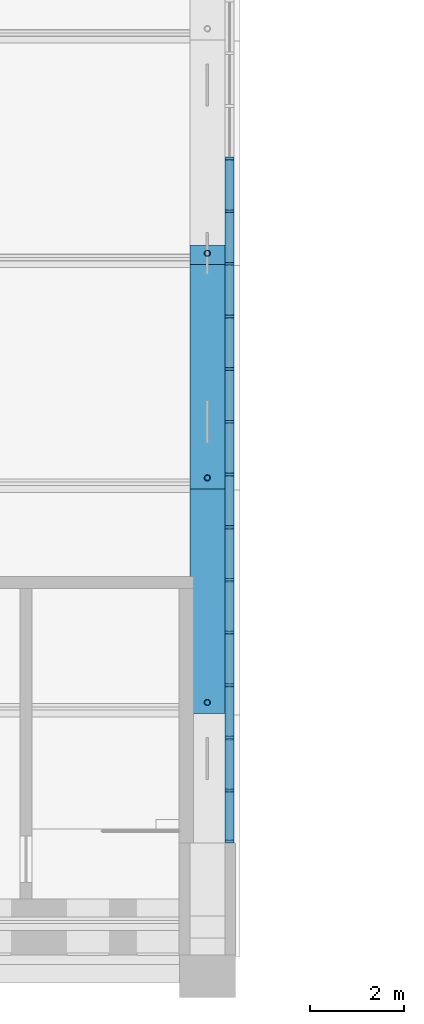
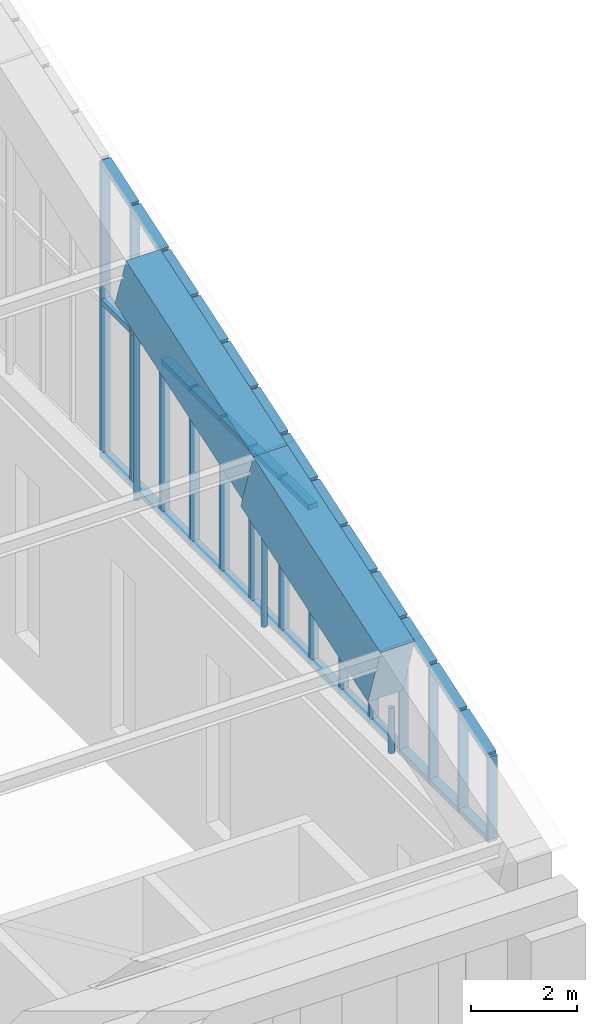
# One storey, part 91 of 149: 50 members, 2 beams, 1 element without a shape of its own.
"""IFC4 building model written with IfcOpenShell, lengths in metres."""

from ifc_helpers import new_model, si_unit, direction, frame, origin, origin_2d, place, context, subcontext, project, spatial, rectangle, hollow_circle, extrude, material, material_profile, profile_set, type_object, element, aggregate, save


model = new_model("IFC4")

# Units and contexts
model_context = context("Model", 3, precision=1e-05, world=origin(), true_north=direction((0.0, 1.0)))
body_context = subcontext(model_context, "Body", "Model", "MODEL_VIEW")
ifc_project = project(units=[si_unit("LENGTHUNIT", "METRE"), si_unit("AREAUNIT", "SQUARE_METRE"), si_unit("VOLUMEUNIT", "CUBIC_METRE"), si_unit("PLANEANGLEUNIT", "RADIAN"), si_unit("MASSUNIT", "GRAM", prefix="KILO")], contexts=[model_context])

# Site, building, storey
site_placement = place(None, origin())
site = spatial("IfcSite", under=ifc_project, at=site_placement, CompositionType="ELEMENT")
building_placement = place(site_placement, origin())
building = spatial("IfcBuilding", under=site, at=building_placement, Name="Alderwick Market Hall", CompositionType="ELEMENT")
storey_placement = place(building_placement, frame((0.0, 0.0, 9.60009765625)))
storey = spatial("IfcBuildingStorey", under=building, at=storey_placement, Name="L01", CompositionType="ELEMENT", Elevation=9.60009765625)

# Beams
ifc_material_1 = material(Name="Concrete 5000 psi (f'c 35 MPa)", Category="concrete")
ifc_material_profile_1 = material_profile(ifc_material_1, rectangle(XDim=0.75, YDim=1.300048828125, at=origin_2d()), Name="RC 750x1300")
ifc_profile_set_1 = profile_set([ifc_material_profile_1], Name="Concrete 5000 psi (f'c 35 MPa)")
beam_type_1 = type_object("IfcBeamType", Name="R Arch Rib Haunch 750x1300", PredefinedType="BEAM", material=ifc_profile_set_1)
beam_1_placement = place(storey_placement, frame((151.199951171875, 59.96826171875, 9.894775390625), z_axis=(0.0, 0.948678472761, 0.316242241517), x_axis=(-1.0, 0.0, 0.0)))
element("IfcBeam", 1, at=beam_1_placement, inside=storey, type_object=beam_type_1, Name="Arch rib 8 chord 3", PredefinedType="BEAM", context=body_context, shape_type="SweptSolid", body=[
    extrude(rectangle(XDim=0.75, YDim=1.300048828125, at=origin_2d()), origin(), (0.0, 0.0, 1.0), 5.059814453125),
])
ifc_material_profile_2 = material_profile(ifc_material_1, rectangle(XDim=0.75, YDim=1.5, at=origin_2d()), Name="RC 750x1500")
ifc_profile_set_2 = profile_set([ifc_material_profile_2], Name="Concrete 5000 psi (f'c 35 MPa)")
beam_type_2 = type_object("IfcBeamType", Name="R Arch Rib Springing 750x1500", PredefinedType="BEAM", material=ifc_profile_set_2)
beam_2_placement = place(storey_placement, frame((151.199951171875, 55.199951171875, 8.199951171875), z_axis=(0.0, 0.948692948114, 0.316198814353), x_axis=(-1.0, 0.0, 0.0)))
element("IfcBeam", 2, at=beam_2_placement, inside=storey, type_object=beam_type_2, Name="Arch rib 8 chord 2", PredefinedType="BEAM", context=body_context, shape_type="SweptSolid", body=[
    extrude(rectangle(XDim=0.75, YDim=1.5, at=origin_2d()), origin(), (0.0, 0.0, 1.0), 5.0595703125),
])

# Curtain wall, members
ifc_material_2 = material(Name="Aluminium", Category="aluminium")
curtain_wall_type = type_object("IfcCurtainWallType", Name="R Curtain Wall Frame", PredefinedType="NOTDEFINED", material=ifc_material_2)
curtain_wall_placement = place(storey_placement, origin())
curtain_wall = element("IfcCurtainWall", 3, at=curtain_wall_placement, inside=storey, type_object=curtain_wall_type, Name="Curtain wall GCW3", PredefinedType="NOTDEFINED")
ifc_material_profile_3 = material_profile(ifc_material_2, rectangle(XDim=0.199951171875, YDim=0.06005859375, at=origin_2d()), Name="AL 60x200")
ifc_profile_set_3 = profile_set([ifc_material_profile_3], Name="Aluminium")
member_type_1 = type_object("IfcMemberType", Name="R CW Mullion 60x200", PredefinedType="MULLION", material=ifc_profile_set_3)
member_1_placement = place(storey_placement, frame((151.675048828125, 52.22998046875, 5.94677734375), z_axis=(0.0, 0.0, 1.0), x_axis=(1.0, 0.0, 0.0)))
member_1 = element("IfcMember", 4, at=member_1_placement, type_object=member_type_1, Name="GCW3 mullion 1", PredefinedType="MULLION", context=body_context, shape_type="SweptSolid", body=[
    extrude(rectangle(XDim=0.199951171875, YDim=0.06005859375, at=origin_2d()), origin(), (0.0, 0.0, 1.0), 1.96044921875),
])
member_2_placement = place(storey_placement, frame((151.675048828125, 53.324951171875, 5.94677734375), z_axis=(0.0, 0.0, 1.0), x_axis=(1.0, 0.0, 0.0)))
member_2 = element("IfcMember", 5, at=member_2_placement, type_object=member_type_1, Name="GCW3 mullion 2", PredefinedType="MULLION", context=body_context, shape_type="SweptSolid", body=[
    extrude(rectangle(XDim=0.199951171875, YDim=0.06005859375, at=origin_2d()), origin(), (0.0, 0.0, 1.0), 2.325439453125),
])
member_3_placement = place(storey_placement, frame((151.675048828125, 54.449951171875, 5.94677734375), z_axis=(0.0, 0.0, 1.0), x_axis=(1.0, 0.0, 0.0)))
member_3 = element("IfcMember", 6, at=member_3_placement, type_object=member_type_1, Name="GCW3 mullion 3", PredefinedType="MULLION", context=body_context, shape_type="SweptSolid", body=[
    extrude(rectangle(XDim=0.199951171875, YDim=0.06005859375, at=origin_2d()), origin(), (0.0, 0.0, 1.0), 2.700439453125),
])
member_4_placement = place(storey_placement, frame((151.675048828125, 55.574951171875, 5.94677734375), z_axis=(0.0, 0.0, 1.0), x_axis=(1.0, 0.0, 0.0)))
member_4 = element("IfcMember", 7, at=member_4_placement, type_object=member_type_1, Name="GCW3 mullion 4", PredefinedType="MULLION", context=body_context, shape_type="SweptSolid", body=[
    extrude(rectangle(XDim=0.199951171875, YDim=0.06005859375, at=origin_2d()), origin(), (0.0, 0.0, 1.0), 3.075439453125),
])
member_5_placement = place(storey_placement, frame((151.675048828125, 56.699951171875, 5.94677734375), z_axis=(0.0, 0.0, 1.0), x_axis=(1.0, 0.0, 0.0)))
member_5 = element("IfcMember", 8, at=member_5_placement, type_object=member_type_1, Name="GCW3 mullion 5", PredefinedType="MULLION", context=body_context, shape_type="SweptSolid", body=[
    extrude(rectangle(XDim=0.199951171875, YDim=0.06005859375, at=origin_2d()), origin(), (0.0, 0.0, 1.0), 3.450439453125),
])
member_6_placement = place(storey_placement, frame((151.675048828125, 57.824951171875, 5.94677734375), z_axis=(0.0, 0.0, 1.0), x_axis=(1.0, 0.0, 0.0)))
member_6 = element("IfcMember", 9, at=member_6_placement, type_object=member_type_1, Name="GCW3 mullion 6", PredefinedType="MULLION", context=body_context, shape_type="SweptSolid", body=[
    extrude(rectangle(XDim=0.199951171875, YDim=0.06005859375, at=origin_2d()), origin(), (0.0, 0.0, 1.0), 3.825439453125),
])
member_7_placement = place(storey_placement, frame((151.675048828125, 58.949951171875, 5.94677734375), z_axis=(0.0, 0.0, 1.0), x_axis=(1.0, 0.0, 0.0)))
member_7 = element("IfcMember", 10, at=member_7_placement, type_object=member_type_1, Name="GCW3 mullion 7", PredefinedType="MULLION", context=body_context, shape_type="SweptSolid", body=[
    extrude(rectangle(XDim=0.199951171875, YDim=0.06005859375, at=origin_2d()), origin(), (0.0, 0.0, 1.0), 4.200439453125),
])
member_8_placement = place(storey_placement, frame((151.675048828125, 60.074951171875, 5.94677734375), z_axis=(0.0, 0.0, 1.0), x_axis=(1.0, 0.0, 0.0)))
member_8 = element("IfcMember", 11, at=member_8_placement, type_object=member_type_1, Name="GCW3 mullion 8", PredefinedType="MULLION", context=body_context, shape_type="SweptSolid", body=[
    extrude(rectangle(XDim=0.199951171875, YDim=0.06005859375, at=origin_2d()), origin(), (0.0, 0.0, 1.0), 4.575439453125),
])
member_9_placement = place(storey_placement, frame((151.675048828125, 61.199951171875, 5.94677734375), z_axis=(0.0, 0.0, 1.0), x_axis=(1.0, 0.0, 0.0)))
member_9 = element("IfcMember", 12, at=member_9_placement, type_object=member_type_1, Name="GCW3 mullion 9", PredefinedType="MULLION", context=body_context, shape_type="SweptSolid", body=[
    extrude(rectangle(XDim=0.199951171875, YDim=0.06005859375, at=origin_2d()), origin(), (0.0, 0.0, 1.0), 4.950439453125),
])
member_10_placement = place(storey_placement, frame((151.675048828125, 62.324951171875, 5.94677734375), z_axis=(0.0, 0.0, 1.0), x_axis=(1.0, 0.0, 0.0)))
member_10 = element("IfcMember", 13, at=member_10_placement, type_object=member_type_1, Name="GCW3 mullion 10", PredefinedType="MULLION", context=body_context, shape_type="SweptSolid", body=[
    extrude(rectangle(XDim=0.199951171875, YDim=0.06005859375, at=origin_2d()), origin(), (0.0, 0.0, 1.0), 5.325439453125),
])
member_11_placement = place(storey_placement, frame((151.675048828125, 63.449951171875, 5.94677734375), z_axis=(0.0, 0.0, 1.0), x_axis=(1.0, 0.0, 0.0)))
member_11 = element("IfcMember", 14, at=member_11_placement, type_object=member_type_1, Name="GCW3 mullion 11", PredefinedType="MULLION", context=body_context, shape_type="SweptSolid", body=[
    extrude(rectangle(XDim=0.199951171875, YDim=0.06005859375, at=origin_2d()), origin(), (0.0, 0.0, 1.0), 5.700439453125),
])
member_12_placement = place(storey_placement, frame((151.675048828125, 64.574951171875, 5.94677734375), z_axis=(0.0, 0.0, 1.0), x_axis=(1.0, 0.0, 0.0)))
member_12 = element("IfcMember", 15, at=member_12_placement, type_object=member_type_1, Name="GCW3 mullion 12", PredefinedType="MULLION", context=body_context, shape_type="SweptSolid", body=[
    extrude(rectangle(XDim=0.199951171875, YDim=0.06005859375, at=origin_2d()), origin(), (0.0, 0.0, 1.0), 6.075439453125),
])
member_13_placement = place(storey_placement, frame((151.675048828125, 65.699951171875, 5.94677734375), z_axis=(0.0, 0.0, 1.0), x_axis=(1.0, 0.0, 0.0)))
member_13 = element("IfcMember", 16, at=member_13_placement, type_object=member_type_1, Name="GCW3 mullion 13", PredefinedType="MULLION", context=body_context, shape_type="SweptSolid", body=[
    extrude(rectangle(XDim=0.199951171875, YDim=0.06005859375, at=origin_2d()), origin(), (0.0, 0.0, 1.0), 6.450439453125),
])
member_14_placement = place(storey_placement, frame((151.675048828125, 66.824951171875, 5.94677734375), z_axis=(0.0, 0.0, 1.0), x_axis=(1.0, 0.0, 0.0)))
member_14 = element("IfcMember", 17, at=member_14_placement, type_object=member_type_1, Name="GCW3 mullion 14", PredefinedType="MULLION", context=body_context, shape_type="SweptSolid", body=[
    extrude(rectangle(XDim=0.199951171875, YDim=0.06005859375, at=origin_2d()), origin(), (0.0, 0.0, 1.0), 6.825439453125),
])
ifc_material_profile_4 = material_profile(ifc_material_2, rectangle(XDim=0.199951171875, YDim=0.1201171875, at=origin_2d()), Name="AL 120x200")
ifc_profile_set_4 = profile_set([ifc_material_profile_4], Name="Aluminium")
member_type_2 = type_object("IfcMemberType", Name="R CW Transom 120x200", PredefinedType="USERDEFINED", material=ifc_profile_set_4)
member_15_placement = place(storey_placement, frame((151.675048828125, 52.260009765625, 6.006591796875), z_axis=(0.0, 1.0, 0.0), x_axis=(-1.0, 0.0, 0.0)))
member_15 = element("IfcMember", 18, at=member_15_placement, type_object=member_type_2, Name="GCW3 sill transom 1", ObjectType="TRANSOM", PredefinedType="USERDEFINED", context=body_context, shape_type="SweptSolid", body=[
    extrude(rectangle(XDim=0.199951171875, YDim=0.1201171875, at=origin_2d()), origin(), (0.0, 0.0, 1.0), 1.034912109375),
])
member_16_placement = place(storey_placement, frame((151.675048828125, 52.260009765625, 7.917236328125), z_axis=(0.0, 0.948683298051, 0.316227766017), x_axis=(-1.0, 0.0, 0.0)))
member_16 = element("IfcMember", 19, at=member_16_placement, type_object=member_type_2, Name="GCW3 arch cap 1", ObjectType="TRANSOM", PredefinedType="USERDEFINED", context=body_context, shape_type="SweptSolid", body=[
    extrude(rectangle(XDim=0.199951171875, YDim=0.1201171875, at=origin_2d()), origin(), (0.0, 0.0, 1.0), 1.0908203125),
])
member_17_placement = place(storey_placement, frame((151.675048828125, 53.35498046875, 6.006591796875), z_axis=(0.0, 1.0, 0.0), x_axis=(-1.0, 0.0, 0.0)))
member_17 = element("IfcMember", 20, at=member_17_placement, type_object=member_type_2, Name="GCW3 sill transom 2", ObjectType="TRANSOM", PredefinedType="USERDEFINED", context=body_context, shape_type="SweptSolid", body=[
    extrude(rectangle(XDim=0.199951171875, YDim=0.1201171875, at=origin_2d()), origin(), (0.0, 0.0, 1.0), 1.06494140625),
])
member_18_placement = place(storey_placement, frame((151.675048828125, 53.35498046875, 8.2822265625), z_axis=(0.0, 0.948683298051, 0.316227766017), x_axis=(-1.0, 0.0, 0.0)))
member_18 = element("IfcMember", 21, at=member_18_placement, type_object=member_type_2, Name="GCW3 arch cap 2", ObjectType="TRANSOM", PredefinedType="USERDEFINED", context=body_context, shape_type="SweptSolid", body=[
    extrude(rectangle(XDim=0.199951171875, YDim=0.1201171875, at=origin_2d()), origin(), (0.0, 0.0, 1.0), 1.12255859375),
])
member_19_placement = place(storey_placement, frame((151.675048828125, 54.47998046875, 6.006591796875), z_axis=(0.0, 1.0, 0.0), x_axis=(-1.0, 0.0, 0.0)))
member_19 = element("IfcMember", 22, at=member_19_placement, type_object=member_type_2, Name="GCW3 sill transom 3", ObjectType="TRANSOM", PredefinedType="USERDEFINED", context=body_context, shape_type="SweptSolid", body=[
    extrude(rectangle(XDim=0.199951171875, YDim=0.1201171875, at=origin_2d()), origin(), (0.0, 0.0, 1.0), 1.06494140625),
])
member_20_placement = place(storey_placement, frame((151.675048828125, 54.47998046875, 8.6572265625), z_axis=(0.0, 0.948683298051, 0.316227766017), x_axis=(-1.0, 0.0, 0.0)))
member_20 = element("IfcMember", 23, at=member_20_placement, type_object=member_type_2, Name="GCW3 arch cap 3", ObjectType="TRANSOM", PredefinedType="USERDEFINED", context=body_context, shape_type="SweptSolid", body=[
    extrude(rectangle(XDim=0.199951171875, YDim=0.1201171875, at=origin_2d()), origin(), (0.0, 0.0, 1.0), 1.12255859375),
])
member_21_placement = place(storey_placement, frame((151.675048828125, 55.60498046875, 6.006591796875), z_axis=(0.0, 1.0, 0.0), x_axis=(-1.0, 0.0, 0.0)))
member_21 = element("IfcMember", 24, at=member_21_placement, type_object=member_type_2, Name="GCW3 sill transom 4", ObjectType="TRANSOM", PredefinedType="USERDEFINED", context=body_context, shape_type="SweptSolid", body=[
    extrude(rectangle(XDim=0.199951171875, YDim=0.1201171875, at=origin_2d()), origin(), (0.0, 0.0, 1.0), 1.06494140625),
])
member_22_placement = place(storey_placement, frame((151.675048828125, 55.60498046875, 9.0322265625), z_axis=(0.0, 0.948683298051, 0.316227766017), x_axis=(-1.0, 0.0, 0.0)))
member_22 = element("IfcMember", 25, at=member_22_placement, type_object=member_type_2, Name="GCW3 arch cap 4", ObjectType="TRANSOM", PredefinedType="USERDEFINED", context=body_context, shape_type="SweptSolid", body=[
    extrude(rectangle(XDim=0.199951171875, YDim=0.1201171875, at=origin_2d()), origin(), (0.0, 0.0, 1.0), 1.12255859375),
])
member_23_placement = place(storey_placement, frame((151.675048828125, 56.72998046875, 6.006591796875), z_axis=(0.0, 1.0, 0.0), x_axis=(-1.0, 0.0, 0.0)))
member_23 = element("IfcMember", 26, at=member_23_placement, type_object=member_type_2, Name="GCW3 sill transom 5", ObjectType="TRANSOM", PredefinedType="USERDEFINED", context=body_context, shape_type="SweptSolid", body=[
    extrude(rectangle(XDim=0.199951171875, YDim=0.1201171875, at=origin_2d()), origin(), (0.0, 0.0, 1.0), 1.06494140625),
])
member_24_placement = place(storey_placement, frame((151.675048828125, 56.72998046875, 9.4072265625), z_axis=(0.0, 0.948683298051, 0.316227766017), x_axis=(-1.0, 0.0, 0.0)))
member_24 = element("IfcMember", 27, at=member_24_placement, type_object=member_type_2, Name="GCW3 arch cap 5", ObjectType="TRANSOM", PredefinedType="USERDEFINED", context=body_context, shape_type="SweptSolid", body=[
    extrude(rectangle(XDim=0.199951171875, YDim=0.1201171875, at=origin_2d()), origin(), (0.0, 0.0, 1.0), 1.12255859375),
])
member_25_placement = place(storey_placement, frame((151.675048828125, 57.85498046875, 6.006591796875), z_axis=(0.0, 1.0, 0.0), x_axis=(-1.0, 0.0, 0.0)))
member_25 = element("IfcMember", 28, at=member_25_placement, type_object=member_type_2, Name="GCW3 sill transom 6", ObjectType="TRANSOM", PredefinedType="USERDEFINED", context=body_context, shape_type="SweptSolid", body=[
    extrude(rectangle(XDim=0.199951171875, YDim=0.1201171875, at=origin_2d()), origin(), (0.0, 0.0, 1.0), 1.06494140625),
])
member_26_placement = place(storey_placement, frame((151.675048828125, 57.85498046875, 9.7822265625), z_axis=(0.0, 0.948683298051, 0.316227766017), x_axis=(-1.0, 0.0, 0.0)))
member_26 = element("IfcMember", 29, at=member_26_placement, type_object=member_type_2, Name="GCW3 arch cap 6", ObjectType="TRANSOM", PredefinedType="USERDEFINED", context=body_context, shape_type="SweptSolid", body=[
    extrude(rectangle(XDim=0.199951171875, YDim=0.1201171875, at=origin_2d()), origin(), (0.0, 0.0, 1.0), 1.12255859375),
])
member_27_placement = place(storey_placement, frame((151.675048828125, 58.97998046875, 6.006591796875), z_axis=(0.0, 1.0, 0.0), x_axis=(-1.0, 0.0, 0.0)))
member_27 = element("IfcMember", 30, at=member_27_placement, type_object=member_type_2, Name="GCW3 sill transom 7", ObjectType="TRANSOM", PredefinedType="USERDEFINED", context=body_context, shape_type="SweptSolid", body=[
    extrude(rectangle(XDim=0.199951171875, YDim=0.1201171875, at=origin_2d()), origin(), (0.0, 0.0, 1.0), 1.06494140625),
])
member_28_placement = place(storey_placement, frame((151.675048828125, 58.97998046875, 9.546630859375), z_axis=(0.0, 1.0, 0.0), x_axis=(-1.0, 0.0, 0.0)))
member_28 = element("IfcMember", 31, at=member_28_placement, type_object=member_type_2, Name="GCW3 transom 7.1", ObjectType="TRANSOM", PredefinedType="USERDEFINED", context=body_context, shape_type="SweptSolid", body=[
    extrude(rectangle(XDim=0.199951171875, YDim=0.1201171875, at=origin_2d()), origin(), (0.0, 0.0, 1.0), 1.06494140625),
])
member_29_placement = place(storey_placement, frame((151.675048828125, 58.97998046875, 10.1572265625), z_axis=(0.0, 0.948683298051, 0.316227766017), x_axis=(-1.0, 0.0, 0.0)))
member_29 = element("IfcMember", 32, at=member_29_placement, type_object=member_type_2, Name="GCW3 arch cap 7", ObjectType="TRANSOM", PredefinedType="USERDEFINED", context=body_context, shape_type="SweptSolid", body=[
    extrude(rectangle(XDim=0.199951171875, YDim=0.1201171875, at=origin_2d()), origin(), (0.0, 0.0, 1.0), 1.12255859375),
])
member_30_placement = place(storey_placement, frame((151.675048828125, 60.10498046875, 6.006591796875), z_axis=(0.0, 1.0, 0.0), x_axis=(-1.0, 0.0, 0.0)))
member_30 = element("IfcMember", 33, at=member_30_placement, type_object=member_type_2, Name="GCW3 sill transom 8", ObjectType="TRANSOM", PredefinedType="USERDEFINED", context=body_context, shape_type="SweptSolid", body=[
    extrude(rectangle(XDim=0.199951171875, YDim=0.1201171875, at=origin_2d()), origin(), (0.0, 0.0, 1.0), 1.06494140625),
])
member_31_placement = place(storey_placement, frame((151.675048828125, 60.10498046875, 9.546630859375), z_axis=(0.0, 1.0, 0.0), x_axis=(-1.0, 0.0, 0.0)))
member_31 = element("IfcMember", 34, at=member_31_placement, type_object=member_type_2, Name="GCW3 transom 8.1", ObjectType="TRANSOM", PredefinedType="USERDEFINED", context=body_context, shape_type="SweptSolid", body=[
    extrude(rectangle(XDim=0.199951171875, YDim=0.1201171875, at=origin_2d()), origin(), (0.0, 0.0, 1.0), 1.06494140625),
])
member_32_placement = place(storey_placement, frame((151.675048828125, 60.10498046875, 10.5322265625), z_axis=(0.0, 0.948683298051, 0.316227766017), x_axis=(-1.0, 0.0, 0.0)))
member_32 = element("IfcMember", 35, at=member_32_placement, type_object=member_type_2, Name="GCW3 arch cap 8", ObjectType="TRANSOM", PredefinedType="USERDEFINED", context=body_context, shape_type="SweptSolid", body=[
    extrude(rectangle(XDim=0.199951171875, YDim=0.1201171875, at=origin_2d()), origin(), (0.0, 0.0, 1.0), 1.12255859375),
])
member_33_placement = place(storey_placement, frame((151.675048828125, 61.22998046875, 6.006591796875), z_axis=(0.0, 1.0, 0.0), x_axis=(-1.0, 0.0, 0.0)))
member_33 = element("IfcMember", 36, at=member_33_placement, type_object=member_type_2, Name="GCW3 sill transom 9", ObjectType="TRANSOM", PredefinedType="USERDEFINED", context=body_context, shape_type="SweptSolid", body=[
    extrude(rectangle(XDim=0.199951171875, YDim=0.1201171875, at=origin_2d()), origin(), (0.0, 0.0, 1.0), 1.06494140625),
])
member_34_placement = place(storey_placement, frame((151.675048828125, 61.22998046875, 9.546630859375), z_axis=(0.0, 1.0, 0.0), x_axis=(-1.0, 0.0, 0.0)))
member_34 = element("IfcMember", 37, at=member_34_placement, type_object=member_type_2, Name="GCW3 transom 9.1", ObjectType="TRANSOM", PredefinedType="USERDEFINED", context=body_context, shape_type="SweptSolid", body=[
    extrude(rectangle(XDim=0.199951171875, YDim=0.1201171875, at=origin_2d()), origin(), (0.0, 0.0, 1.0), 1.06494140625),
])
member_35_placement = place(storey_placement, frame((151.675048828125, 61.22998046875, 10.9072265625), z_axis=(0.0, 0.948683298051, 0.316227766017), x_axis=(-1.0, 0.0, 0.0)))
member_35 = element("IfcMember", 38, at=member_35_placement, type_object=member_type_2, Name="GCW3 arch cap 9", ObjectType="TRANSOM", PredefinedType="USERDEFINED", context=body_context, shape_type="SweptSolid", body=[
    extrude(rectangle(XDim=0.199951171875, YDim=0.1201171875, at=origin_2d()), origin(), (0.0, 0.0, 1.0), 1.12255859375),
])
member_36_placement = place(storey_placement, frame((151.675048828125, 62.35498046875, 6.006591796875), z_axis=(0.0, 1.0, 0.0), x_axis=(-1.0, 0.0, 0.0)))
member_36 = element("IfcMember", 39, at=member_36_placement, type_object=member_type_2, Name="GCW3 sill transom 10", ObjectType="TRANSOM", PredefinedType="USERDEFINED", context=body_context, shape_type="SweptSolid", body=[
    extrude(rectangle(XDim=0.199951171875, YDim=0.1201171875, at=origin_2d()), origin(), (0.0, 0.0, 1.0), 1.06494140625),
])
member_37_placement = place(storey_placement, frame((151.675048828125, 62.35498046875, 9.546630859375), z_axis=(0.0, 1.0, 0.0), x_axis=(-1.0, 0.0, 0.0)))
member_37 = element("IfcMember", 40, at=member_37_placement, type_object=member_type_2, Name="GCW3 transom 10.1", ObjectType="TRANSOM", PredefinedType="USERDEFINED", context=body_context, shape_type="SweptSolid", body=[
    extrude(rectangle(XDim=0.199951171875, YDim=0.1201171875, at=origin_2d()), origin(), (0.0, 0.0, 1.0), 1.06494140625),
])
member_38_placement = place(storey_placement, frame((151.675048828125, 62.35498046875, 11.2822265625), z_axis=(0.0, 0.948683298051, 0.316227766017), x_axis=(-1.0, 0.0, 0.0)))
member_38 = element("IfcMember", 41, at=member_38_placement, type_object=member_type_2, Name="GCW3 arch cap 10", ObjectType="TRANSOM", PredefinedType="USERDEFINED", context=body_context, shape_type="SweptSolid", body=[
    extrude(rectangle(XDim=0.199951171875, YDim=0.1201171875, at=origin_2d()), origin(), (0.0, 0.0, 1.0), 1.12255859375),
])
member_39_placement = place(storey_placement, frame((151.675048828125, 63.47998046875, 6.006591796875), z_axis=(0.0, 1.0, 0.0), x_axis=(-1.0, 0.0, 0.0)))
member_39 = element("IfcMember", 42, at=member_39_placement, type_object=member_type_2, Name="GCW3 sill transom 11", ObjectType="TRANSOM", PredefinedType="USERDEFINED", context=body_context, shape_type="SweptSolid", body=[
    extrude(rectangle(XDim=0.199951171875, YDim=0.1201171875, at=origin_2d()), origin(), (0.0, 0.0, 1.0), 1.06494140625),
])
member_40_placement = place(storey_placement, frame((151.675048828125, 63.47998046875, 9.546630859375), z_axis=(0.0, 1.0, 0.0), x_axis=(-1.0, 0.0, 0.0)))
member_40 = element("IfcMember", 43, at=member_40_placement, type_object=member_type_2, Name="GCW3 transom 11.1", ObjectType="TRANSOM", PredefinedType="USERDEFINED", context=body_context, shape_type="SweptSolid", body=[
    extrude(rectangle(XDim=0.199951171875, YDim=0.1201171875, at=origin_2d()), origin(), (0.0, 0.0, 1.0), 1.06494140625),
])
member_41_placement = place(storey_placement, frame((151.675048828125, 63.47998046875, 11.6572265625), z_axis=(0.0, 0.948683298051, 0.316227766017), x_axis=(-1.0, 0.0, 0.0)))
member_41 = element("IfcMember", 44, at=member_41_placement, type_object=member_type_2, Name="GCW3 arch cap 11", ObjectType="TRANSOM", PredefinedType="USERDEFINED", context=body_context, shape_type="SweptSolid", body=[
    extrude(rectangle(XDim=0.199951171875, YDim=0.1201171875, at=origin_2d()), origin(), (0.0, 0.0, 1.0), 1.12255859375),
])
member_42_placement = place(storey_placement, frame((151.675048828125, 64.60498046875, 6.006591796875), z_axis=(0.0, 1.0, 0.0), x_axis=(-1.0, 0.0, 0.0)))
member_42 = element("IfcMember", 45, at=member_42_placement, type_object=member_type_2, Name="GCW3 sill transom 12", ObjectType="TRANSOM", PredefinedType="USERDEFINED", context=body_context, shape_type="SweptSolid", body=[
    extrude(rectangle(XDim=0.199951171875, YDim=0.1201171875, at=origin_2d()), origin(), (0.0, 0.0, 1.0), 1.06494140625),
])
member_43_placement = place(storey_placement, frame((151.675048828125, 64.60498046875, 9.546630859375), z_axis=(0.0, 1.0, 0.0), x_axis=(-1.0, 0.0, 0.0)))
member_43 = element("IfcMember", 46, at=member_43_placement, type_object=member_type_2, Name="GCW3 transom 12.1", ObjectType="TRANSOM", PredefinedType="USERDEFINED", context=body_context, shape_type="SweptSolid", body=[
    extrude(rectangle(XDim=0.199951171875, YDim=0.1201171875, at=origin_2d()), origin(), (0.0, 0.0, 1.0), 1.06494140625),
])
member_44_placement = place(storey_placement, frame((151.675048828125, 64.60498046875, 12.0322265625), z_axis=(0.0, 0.948683298051, 0.316227766017), x_axis=(-1.0, 0.0, 0.0)))
member_44 = element("IfcMember", 47, at=member_44_placement, type_object=member_type_2, Name="GCW3 arch cap 12", ObjectType="TRANSOM", PredefinedType="USERDEFINED", context=body_context, shape_type="SweptSolid", body=[
    extrude(rectangle(XDim=0.199951171875, YDim=0.1201171875, at=origin_2d()), origin(), (0.0, 0.0, 1.0), 1.12255859375),
])
member_45_placement = place(storey_placement, frame((151.675048828125, 65.72998046875, 6.006591796875), z_axis=(0.0, 1.0, 0.0), x_axis=(-1.0, 0.0, 0.0)))
member_45 = element("IfcMember", 48, at=member_45_placement, type_object=member_type_2, Name="GCW3 sill transom 13", ObjectType="TRANSOM", PredefinedType="USERDEFINED", context=body_context, shape_type="SweptSolid", body=[
    extrude(rectangle(XDim=0.199951171875, YDim=0.1201171875, at=origin_2d()), origin(), (0.0, 0.0, 1.0), 1.06494140625),
])
member_46_placement = place(storey_placement, frame((151.675048828125, 65.72998046875, 9.546630859375), z_axis=(0.0, 1.0, 0.0), x_axis=(-1.0, 0.0, 0.0)))
member_46 = element("IfcMember", 49, at=member_46_placement, type_object=member_type_2, Name="GCW3 transom 13.1", ObjectType="TRANSOM", PredefinedType="USERDEFINED", context=body_context, shape_type="SweptSolid", body=[
    extrude(rectangle(XDim=0.199951171875, YDim=0.1201171875, at=origin_2d()), origin(), (0.0, 0.0, 1.0), 1.06494140625),
])
member_47_placement = place(storey_placement, frame((151.675048828125, 65.72998046875, 12.4072265625), z_axis=(0.0, 0.948683298051, 0.316227766017), x_axis=(-1.0, 0.0, 0.0)))
member_47 = element("IfcMember", 50, at=member_47_placement, type_object=member_type_2, Name="GCW3 arch cap 13", ObjectType="TRANSOM", PredefinedType="USERDEFINED", context=body_context, shape_type="SweptSolid", body=[
    extrude(rectangle(XDim=0.199951171875, YDim=0.1201171875, at=origin_2d()), origin(), (0.0, 0.0, 1.0), 1.12255859375),
])
aggregate(curtain_wall, [member_1, member_2, member_3, member_4, member_5, member_6, member_7, member_8, member_9, member_10, member_11, member_12, member_13, member_14, member_15, member_16, member_17, member_18, member_19, member_20, member_21, member_22, member_23, member_24, member_25, member_26, member_27, member_28, member_29, member_30, member_31, member_32, member_33, member_34, member_35, member_36, member_37, member_38, member_39, member_40, member_41, member_42, member_43, member_44, member_45, member_46, member_47])

# Members
ifc_material_3 = material(Name="Steel ASTM A500 Grade C", Category="steel")
ifc_material_profile_5 = material_profile(ifc_material_3, hollow_circle(Radius=0.0634765625, WallThickness=0.005859375, at=origin_2d()), Name="HSS5.000x0.250")
ifc_profile_set_5 = profile_set([ifc_material_profile_5], Name="Steel ASTM A500 Grade C")
member_type_3 = type_object("IfcMemberType", Name="R Hanger HSS5.000x0.250", PredefinedType="POST", material=ifc_profile_set_5)
member_48_placement = place(storey_placement, frame((151.199951171875, 55.199951171875, 6.35302734375), z_axis=(0.0, 0.0, 1.0), x_axis=(1.0, 0.0, 0.0)))
element("IfcMember", 51, at=member_48_placement, inside=storey, type_object=member_type_3, Name="Arch hanger 8.1", PredefinedType="POST", context=body_context, shape_type="SweptSolid", body=[
    extrude(hollow_circle(Radius=0.0634765625, WallThickness=0.005859375, at=origin_2d()), origin(), (0.0, 0.0, 1.0), 1.03515625),
])
member_49_placement = place(storey_placement, frame((151.199951171875, 60.0, 6.35302734375), z_axis=(0.0, 0.0, 1.0), x_axis=(1.0, 0.0, 0.0)))
element("IfcMember", 52, at=member_49_placement, inside=storey, type_object=member_type_3, Name="Arch hanger 8.2", PredefinedType="POST", context=body_context, shape_type="SweptSolid", body=[
    extrude(hollow_circle(Radius=0.0634765625, WallThickness=0.005859375, at=origin_2d()), origin(), (0.0, 0.0, 1.0), 2.63525390625),
])
member_50_placement = place(storey_placement, frame((151.199951171875, 64.800048828125, 6.35302734375), z_axis=(0.0, 0.0, 1.0), x_axis=(1.0, 0.0, 0.0)))
element("IfcMember", 53, at=member_50_placement, inside=storey, type_object=member_type_3, Name="Arch hanger 8.3", PredefinedType="POST", context=body_context, shape_type="SweptSolid", body=[
    extrude(hollow_circle(Radius=0.0634765625, WallThickness=0.005859375, at=origin_2d()), origin(), (0.0, 0.0, 1.0), 4.446044921875),
])

save(model, "model.ifc")
